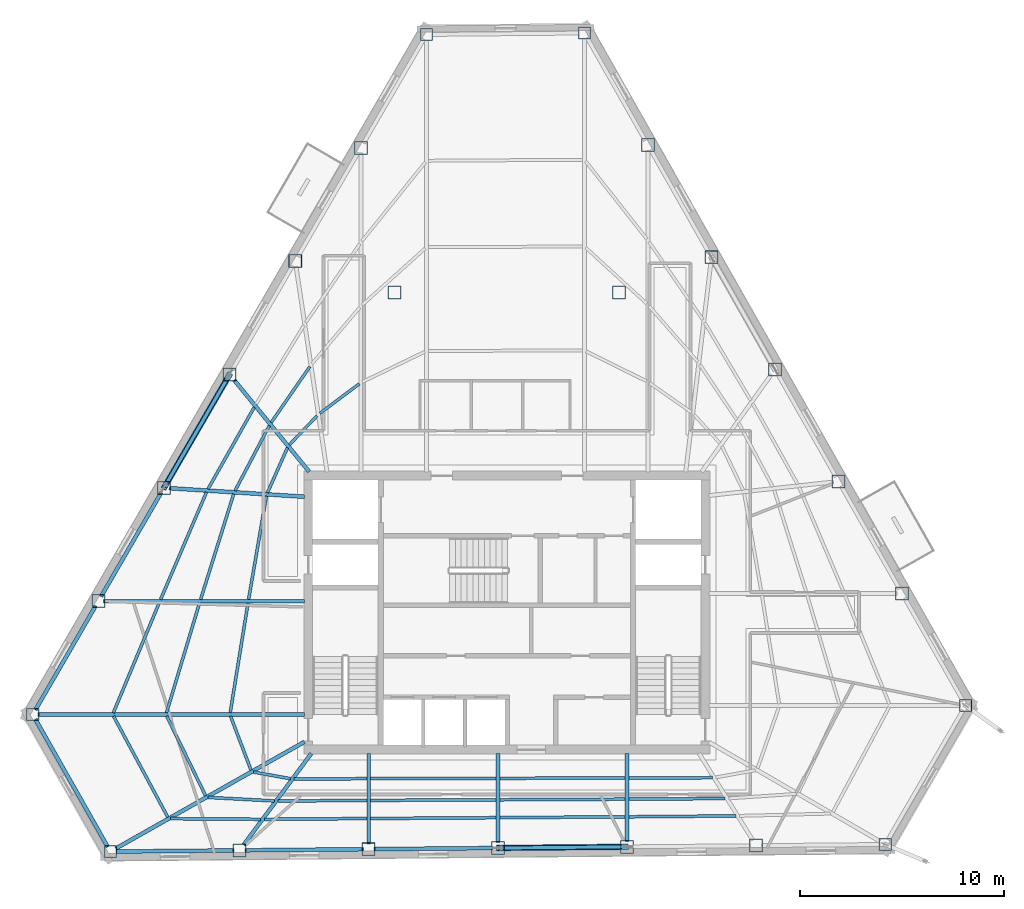
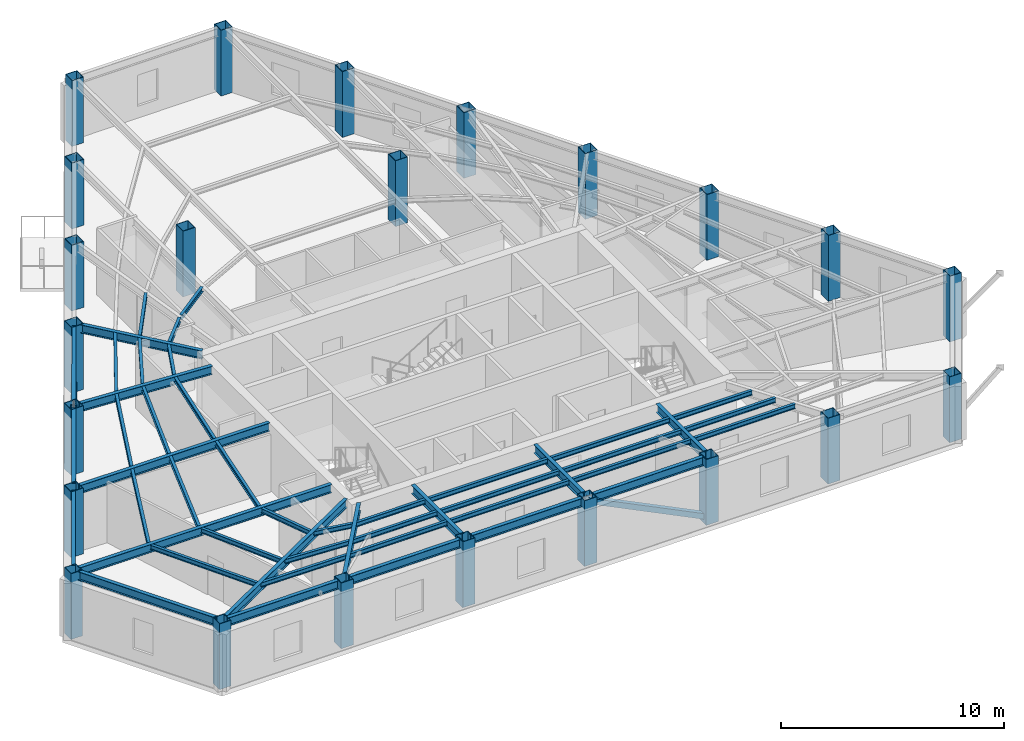
# One storey, part 1 of 10: 47 beams, 23 columns, 2 members.
"""IFC4 building model written with IfcOpenShell, lengths in metres."""

from ifc_helpers import new_model, si_unit, direction, frame, origin, origin_2d, place, context, subcontext, project, spatial, hollow_rectangle, i_section, extrude, material, material_profile, profile_set, type_object, element, save


model = new_model("IFC4")

# Units and contexts
model_context = context("Model", 3, precision=1e-05, world=origin(), true_north=direction((0.0, 1.0)))
body_context = subcontext(model_context, "Body", "Model", "MODEL_VIEW")
ifc_project = project(units=[si_unit("LENGTHUNIT", "METRE"), si_unit("AREAUNIT", "SQUARE_METRE"), si_unit("VOLUMEUNIT", "CUBIC_METRE"), si_unit("PLANEANGLEUNIT", "RADIAN"), si_unit("MASSUNIT", "GRAM", prefix="KILO")], contexts=[model_context])

# Site, building, storey
site_placement = place(None, origin())
site = spatial("IfcSite", under=ifc_project, at=site_placement, CompositionType="ELEMENT")
building_placement = place(site_placement, origin())
building = spatial("IfcBuilding", under=site, at=building_placement, Name="Kavelnor Concourse Tower", CompositionType="ELEMENT")
storey_placement = place(building_placement, frame((0.0, 0.0, 222.75)))
storey = spatial("IfcBuildingStorey", under=building, at=storey_placement, Name="L56", CompositionType="ELEMENT", Elevation=222.75)

# Columns
ifc_material = material(Name="Steel Grade 350", Category="steel")
ifc_material_profile_1 = material_profile(ifc_material, hollow_rectangle(XDim=0.60009765625, YDim=0.60009765625, WallThickness=0.028076171875, at=origin_2d()), Name="SHS 600x600x28")
ifc_profile_set_1 = profile_set([ifc_material_profile_1], Name="Steel Grade 350")
column_type_1 = type_object("IfcColumnType", Name="COL-FOLD-Z3", PredefinedType="COLUMN", material=ifc_profile_set_1)
for number, where, z_axis, x_axis, name in (
    (1, (34.06005859375, 44.455078125, 0.0), (0.0, 0.0, 1.0), (1.0, 0.0, 0.0), "L56 Perimeter Corner-Fold Column F0-B0"),
    (2, (14.74609375, 11.1015625, 0.0), (0.0, 0.0, 1.0), (1.0, 0.0, 0.0), "L56 Perimeter Corner-Fold Column F0-B6"),
    (3, (18.556640625, 4.37890625, 0.0), (0.0, 0.0, 1.0), (1.0, 0.0, 0.0), "L56 Perimeter Corner-Fold Column F1-B0"),
    (4, (56.561767578125, 4.7294921875, 0.0), (0.0, 0.0, 1.0), (1.0, 0.0, 0.0), "L56 Perimeter Corner-Fold Column F1-B6"),
    (5, (60.5048828125, 11.5390625, 0.0), (0.0, 0.0, 1.0), (1.0, 0.0, 0.0), "L56 Perimeter Corner-Fold Column F2-B0"),
    (6, (41.807373046875, 44.526611328125, 0.0), (0.0, 0.0, 1.0), (1.0, 0.0, 0.0), "L56 Perimeter Corner-Fold Column F2-B6"),
):
    element("IfcColumn", number, at=place(storey_placement, frame(where, z_axis=z_axis, x_axis=x_axis)), inside=storey, type_object=column_type_1, Name=name, PredefinedType="COLUMN", context=body_context, shape_type="SweptSolid", body=[
        extrude(hollow_rectangle(XDim=0.60009765625, YDim=0.60009765625, WallThickness=0.028076171875, at=origin_2d()), origin(), (0.0, 0.0, 1.0), 3.60009765625),
    ])
ifc_material_profile_2 = material_profile(ifc_material, hollow_rectangle(XDim=0.639892578125, YDim=0.639892578125, WallThickness=0.028076171875, at=origin_2d()), Name="SHS 640x640x28")
ifc_profile_set_2 = profile_set([ifc_material_profile_2], Name="Steel Grade 350")
column_type_2 = type_object("IfcColumnType", Name="COL-TUBE-Z3", PredefinedType="COLUMN", material=ifc_profile_set_2)
for number, where, z_axis, x_axis, name in (
    (7, (30.841064453125, 38.89599609375, 0.0), (0.0, 0.0, 1.0), (1.0, 0.0, 0.0), "L56 Perimeter Framed-Tube Column F0-B1"),
    (8, (27.6220703125, 33.337158203125, 0.0), (0.0, 0.0, 1.0), (1.0, 0.0, 0.0), "L56 Perimeter Framed-Tube Column F0-B2"),
    (9, (24.403076171875, 27.7783203125, 0.0), (0.0, 0.0, 1.0), (1.0, 0.0, 0.0), "L56 Perimeter Framed-Tube Column F0-B3"),
    (10, (21.18408203125, 22.219482421875, 0.0), (0.0, 0.0, 1.0), (1.0, 0.0, 0.0), "L56 Perimeter Framed-Tube Column F0-B4"),
    (11, (17.965087890625, 16.660400390625, 0.0), (0.0, 0.0, 1.0), (1.0, 0.0, 0.0), "L56 Perimeter Framed-Tube Column F0-B5"),
    (12, (24.890869140625, 4.437255859375, 0.0), (0.0, 0.0, 1.0), (1.0, 0.0, 0.0), "L56 Perimeter Framed-Tube Column F1-B1"),
    (13, (31.22509765625, 4.49560546875, 0.0), (0.0, 0.0, 1.0), (1.0, 0.0, 0.0), "L56 Perimeter Framed-Tube Column F1-B2"),
    (14, (37.55908203125, 4.55419921875, 0.0), (0.0, 0.0, 1.0), (1.0, 0.0, 0.0), "L56 Perimeter Framed-Tube Column F1-B3"),
    (15, (43.893310546875, 4.612548828125, 0.0), (0.0, 0.0, 1.0), (1.0, 0.0, 0.0), "L56 Perimeter Framed-Tube Column F1-B4"),
    (16, (50.2275390625, 4.671142578125, 0.0), (0.0, 0.0, 1.0), (1.0, 0.0, 0.0), "L56 Perimeter Framed-Tube Column F1-B5"),
    (17, (57.388671875, 17.037109375, 0.0), (0.0, 0.0, 1.0), (1.0, 0.0, 0.0), "L56 Perimeter Framed-Tube Column F2-B1"),
    (18, (54.2724609375, 22.534912109375, 0.0), (0.0, 0.0, 1.0), (1.0, 0.0, 0.0), "L56 Perimeter Framed-Tube Column F2-B2"),
    (19, (51.156005859375, 28.03271484375, 0.0), (0.0, 0.0, 1.0), (1.0, 0.0, 0.0), "L56 Perimeter Framed-Tube Column F2-B3"),
    (20, (48.039794921875, 33.53076171875, 0.0), (0.0, 0.0, 1.0), (1.0, 0.0, 0.0), "L56 Perimeter Framed-Tube Column F2-B4"),
    (21, (44.923583984375, 39.028564453125, 0.0), (0.0, 0.0, 1.0), (1.0, 0.0, 0.0), "L56 Perimeter Framed-Tube Column F2-B5"),
    (22, (32.5, 31.800048828125, 0.0), (0.0, 0.0, 1.0), (1.0, 0.0, 0.0), "L56 North Interior Gravity Column BC-NW"),
    (23, (43.5, 31.800048828125, 0.0), (0.0, 0.0, 1.0), (1.0, 0.0, 0.0), "L56 North Interior Gravity Column BC-NE"),
):
    element("IfcColumn", number, at=place(storey_placement, frame(where, z_axis=z_axis, x_axis=x_axis)), inside=storey, type_object=column_type_2, Name=name, PredefinedType="COLUMN", context=body_context, shape_type="SweptSolid", body=[
        extrude(hollow_rectangle(XDim=0.639892578125, YDim=0.639892578125, WallThickness=0.028076171875, at=origin_2d()), origin(), (0.0, 0.0, 1.0), 3.60009765625),
    ])

# Beams
ifc_material_profile_3 = material_profile(ifc_material, i_section(OverallWidth=0.14599609375, OverallDepth=0.256103515625, WebThickness=0.00634765625, FlangeThickness=0.010986328125, at=origin_2d()), Name="250UB37")
ifc_profile_set_3 = profile_set([ifc_material_profile_3], Name="Steel Grade 350")
beam_type_1 = type_object("IfcBeamType", Name="BM-JOIST-250", PredefinedType="JOIST", material=ifc_profile_set_3)
beam_1_placement = place(storey_placement, frame((24.450927734375, 11.018310546875, 3.471923828125), z_axis=(0.354865465004, -0.934917376963, 0.0), x_axis=(0.934917376963, 0.354865465004, 0.0)))
element("IfcBeam", 24, at=beam_1_placement, inside=storey, type_object=beam_type_1, Name="L56 Secondary Composite Joist 01-1", PredefinedType="JOIST", context=body_context, shape_type="SweptSolid", body=[
    extrude(i_section(OverallWidth=0.14599609375, OverallDepth=0.256103515625, WebThickness=0.00634765625, FlangeThickness=0.010986328125, at=origin_2d()), origin(), (0.0, 0.0, 1.0), 2.822021484375),
])
beam_2_placement = place(storey_placement, frame((21.320556640625, 11.021484375, 3.471923828125), z_axis=(0.438598710332, -0.898683020478, 0.0), x_axis=(0.898683020478, 0.438598710332, 0.0)))
element("IfcBeam", 25, at=beam_2_placement, inside=storey, type_object=beam_type_1, Name="L56 Secondary Composite Joist 01-2", PredefinedType="JOIST", context=body_context, shape_type="SweptSolid", body=[
    extrude(i_section(OverallWidth=0.14599609375, OverallDepth=0.256103515625, WebThickness=0.00634765625, FlangeThickness=0.010986328125, at=origin_2d()), origin(), (0.0, 0.0, 1.0), 4.340576171875),
])
beam_3_placement = place(storey_placement, frame((18.708984375, 11.023193359375, 3.471923828125), z_axis=(0.473529886598, -0.88077775091, 0.0), x_axis=(0.88077775091, 0.473529886598, 0.0)))
element("IfcBeam", 26, at=beam_3_placement, inside=storey, type_object=beam_type_1, Name="L56 Secondary Composite Joist 01-3", PredefinedType="JOIST", context=body_context, shape_type="SweptSolid", body=[
    extrude(i_section(OverallWidth=0.14599609375, OverallDepth=0.256103515625, WebThickness=0.00634765625, FlangeThickness=0.010986328125, at=origin_2d()), origin(), (0.0, 0.0, 1.0), 5.620849609375),
])
beam_4_placement = place(storey_placement, frame((25.571533203125, 8.28076171875, 3.471923828125), z_axis=(0.984080175669, -0.177725090675, 0.0), x_axis=(0.177725090675, 0.984080175669, 0.0)))
element("IfcBeam", 27, at=beam_4_placement, inside=storey, type_object=beam_type_1, Name="L56 Secondary Composite Joist 02-1", PredefinedType="JOIST", context=body_context, shape_type="SweptSolid", body=[
    extrude(i_section(OverallWidth=0.14599609375, OverallDepth=0.256103515625, WebThickness=0.00634765625, FlangeThickness=0.010986328125, at=origin_2d()), origin(), (0.0, 0.0, 1.0), 1.851806640625),
])
beam_5_placement = place(storey_placement, frame((23.352294921875, 7.035888671875, 3.471923828125), z_axis=(0.998590490225, -0.053075727328, 0.0), x_axis=(0.053075727328, 0.998590490225, 0.0)))
element("IfcBeam", 28, at=beam_5_placement, inside=storey, type_object=beam_type_1, Name="L56 Secondary Composite Joist 02-2", PredefinedType="JOIST", context=body_context, shape_type="SweptSolid", body=[
    extrude(i_section(OverallWidth=0.14599609375, OverallDepth=0.256103515625, WebThickness=0.00634765625, FlangeThickness=0.010986328125, at=origin_2d()), origin(), (0.0, 0.0, 1.0), 3.24755859375),
])
beam_6_placement = place(storey_placement, frame((21.501708984375, 5.993408203125, 3.471923828125), z_axis=(0.999975105743, -0.007056053668, 0.0), x_axis=(0.007056053668, 0.999975105743, 0.0)))
element("IfcBeam", 29, at=beam_6_placement, inside=storey, type_object=beam_type_1, Name="L56 Secondary Composite Joist 02-3", PredefinedType="JOIST", context=body_context, shape_type="SweptSolid", body=[
    extrude(i_section(OverallWidth=0.14599609375, OverallDepth=0.256103515625, WebThickness=0.00634765625, FlangeThickness=0.010986328125, at=origin_2d()), origin(), (0.0, 0.0, 1.0), 4.4287109375),
])
beam_7_placement = place(storey_placement, frame((27.5703125, 7.936279296875, 3.471923828125), z_axis=(0.999986102417, 0.005272093796, 0.0), x_axis=(-0.005272093796, 0.999986102417, 0.0)))
element("IfcBeam", 30, at=beam_7_placement, inside=storey, type_object=beam_type_1, Name="L56 Secondary Composite Joist 03-1", PredefinedType="JOIST", context=body_context, shape_type="SweptSolid", body=[
    extrude(i_section(OverallWidth=0.14599609375, OverallDepth=0.256103515625, WebThickness=0.00634765625, FlangeThickness=0.010986328125, at=origin_2d()), origin(), (0.0, 0.0, 1.0), 3.565673828125),
])
beam_8_placement = place(storey_placement, frame((26.77294921875, 6.859375, 3.471923828125), z_axis=(0.99997783071, 0.006658685124, 0.0), x_axis=(-0.006658685124, 0.99997783071, 0.0)))
element("IfcBeam", 31, at=beam_8_placement, inside=storey, type_object=beam_type_1, Name="L56 Secondary Composite Joist 03-2", PredefinedType="JOIST", context=body_context, shape_type="SweptSolid", body=[
    extrude(i_section(OverallWidth=0.14599609375, OverallDepth=0.256103515625, WebThickness=0.00634765625, FlangeThickness=0.010986328125, at=origin_2d()), origin(), (0.0, 0.0, 1.0), 4.363037109375),
])
beam_9_placement = place(storey_placement, frame((26.1083984375, 5.962158203125, 3.471923828125), z_axis=(0.999972400854, 0.007429504071, 0.0), x_axis=(-0.007429504071, 0.999972400854, 0.0)))
element("IfcBeam", 32, at=beam_9_placement, inside=storey, type_object=beam_type_1, Name="L56 Secondary Composite Joist 03-3", PredefinedType="JOIST", context=body_context, shape_type="SweptSolid", body=[
    extrude(i_section(OverallWidth=0.14599609375, OverallDepth=0.256103515625, WebThickness=0.00634765625, FlangeThickness=0.010986328125, at=origin_2d()), origin(), (0.0, 0.0, 1.0), 5.02783203125),
])
for number, where, z_axis, x_axis, name in (
    (33, (31.31396484375, 7.955810546875, 3.471923828125), (0.999996677675, 0.002577719862, 0.0), (-0.002577719862, 0.999996677675, 0.0), "L56 Secondary Composite Joist 04-1"),
    (34, (31.31396484375, 6.889404296875, 3.471923828125), (0.999988487203, 0.004798485365, 0.0), (-0.004798485365, 0.999988487203, 0.0), "L56 Secondary Composite Joist 04-2"),
):
    element("IfcBeam", number, at=place(storey_placement, frame(where, z_axis=z_axis, x_axis=x_axis)), inside=storey, type_object=beam_type_1, Name=name, PredefinedType="JOIST", context=body_context, shape_type="SweptSolid", body=[
        extrude(i_section(OverallWidth=0.14599609375, OverallDepth=0.256103515625, WebThickness=0.00634765625, FlangeThickness=0.010986328125, at=origin_2d()), origin(), (0.0, 0.0, 1.0), 6.15625),
    ])
beam_10_placement = place(storey_placement, frame((31.31396484375, 6.000732421875, 3.471923828125), z_axis=(0.999978070119, 0.006622633951, 0.0), x_axis=(-0.006622633951, 0.999978070119, 0.0)))
element("IfcBeam", 35, at=beam_10_placement, inside=storey, type_object=beam_type_1, Name="L56 Secondary Composite Joist 04-3", PredefinedType="JOIST", context=body_context, shape_type="SweptSolid", body=[
    extrude(i_section(OverallWidth=0.14599609375, OverallDepth=0.256103515625, WebThickness=0.00634765625, FlangeThickness=0.010986328125, at=origin_2d()), origin(), (0.0, 0.0, 1.0), 6.156494140625),
])
for number, where, z_axis, x_axis, name in (
    (36, (37.648193359375, 7.97216796875, 3.471923828125), (0.999996677675, 0.002577719862, 0.0), (-0.002577719862, 0.999996677675, 0.0), "L56 Secondary Composite Joist 05-1"),
    (37, (37.648193359375, 6.919921875, 3.471923828125), (0.999988676707, 0.004758829363, 0.0), (-0.004758829363, 0.999988676707, 0.0), "L56 Secondary Composite Joist 05-2"),
):
    element("IfcBeam", number, at=place(storey_placement, frame(where, z_axis=z_axis, x_axis=x_axis)), inside=storey, type_object=beam_type_1, Name=name, PredefinedType="JOIST", context=body_context, shape_type="SweptSolid", body=[
        extrude(i_section(OverallWidth=0.14599609375, OverallDepth=0.256103515625, WebThickness=0.00634765625, FlangeThickness=0.010986328125, at=origin_2d()), origin(), (0.0, 0.0, 1.0), 6.15625),
    ])
beam_11_placement = place(storey_placement, frame((37.648193359375, 6.042724609375, 3.471923828125), z_axis=(0.999977806708, 0.006662288687, 0.0), x_axis=(-0.006662288687, 0.999977806708, 0.0)))
element("IfcBeam", 38, at=beam_11_placement, inside=storey, type_object=beam_type_1, Name="L56 Secondary Composite Joist 05-3", PredefinedType="JOIST", context=body_context, shape_type="SweptSolid", body=[
    extrude(i_section(OverallWidth=0.14599609375, OverallDepth=0.256103515625, WebThickness=0.00634765625, FlangeThickness=0.010986328125, at=origin_2d()), origin(), (0.0, 0.0, 1.0), 6.156494140625),
])
beam_12_placement = place(storey_placement, frame((43.982421875, 7.988525390625, 3.471923828125), z_axis=(0.999994816343, 0.003219827087, 0.0), x_axis=(-0.003219827087, 0.999994816343, 0.0)))
element("IfcBeam", 39, at=beam_12_placement, inside=storey, type_object=beam_type_1, Name="L56 Secondary Composite Joist 06-1", PredefinedType="JOIST", context=body_context, shape_type="SweptSolid", body=[
    extrude(i_section(OverallWidth=0.14599609375, OverallDepth=0.256103515625, WebThickness=0.00634765625, FlangeThickness=0.010986328125, at=origin_2d()), origin(), (0.0, 0.0, 1.0), 4.094482421875),
])
beam_13_placement = place(storey_placement, frame((43.982421875, 6.9501953125, 3.471923828125), z_axis=(0.999980147228, 0.006301202312, 0.0), x_axis=(-0.006301202312, 0.999980147228, 0.0)))
element("IfcBeam", 40, at=beam_13_placement, inside=storey, type_object=beam_type_1, Name="L56 Secondary Composite Joist 06-2", PredefinedType="JOIST", context=body_context, shape_type="SweptSolid", body=[
    extrude(i_section(OverallWidth=0.14599609375, OverallDepth=0.256103515625, WebThickness=0.00634765625, FlangeThickness=0.010986328125, at=origin_2d()), origin(), (0.0, 0.0, 1.0), 4.726806640625),
])
beam_14_placement = place(storey_placement, frame((43.982421875, 6.0849609375, 3.471923828125), z_axis=(0.99996579075, 0.008271476869, 0.0), x_axis=(-0.008271476869, 0.99996579075, 0.0)))
element("IfcBeam", 41, at=beam_14_placement, inside=storey, type_object=beam_type_1, Name="L56 Secondary Composite Joist 06-3", PredefinedType="JOIST", context=body_context, shape_type="SweptSolid", body=[
    extrude(i_section(OverallWidth=0.14599609375, OverallDepth=0.256103515625, WebThickness=0.00634765625, FlangeThickness=0.010986328125, at=origin_2d()), origin(), (0.0, 0.0, 1.0), 5.25390625),
])
beam_15_placement = place(storey_placement, frame((30.769775390625, 27.32470703125, 3.471923828125), z_axis=(-0.801219671055, -0.598370319045, 0.0), x_axis=(0.598370319045, -0.801219671055, 0.0)))
element("IfcBeam", 42, at=beam_15_placement, inside=storey, type_object=beam_type_1, Name="L56 Secondary Composite Joist 17-1", PredefinedType="JOIST", context=body_context, shape_type="SweptSolid", body=[
    extrude(i_section(OverallWidth=0.14599609375, OverallDepth=0.256103515625, WebThickness=0.00634765625, FlangeThickness=0.010986328125, at=origin_2d()), origin(), (0.0, 0.0, 1.0), 2.4228515625),
])
beam_16_placement = place(storey_placement, frame((28.69580078125, 25.75732421875, 3.471923828125), z_axis=(-0.690156950651, -0.723659715245, 0.0), x_axis=(0.723659715245, -0.690156950651, 0.0)))
element("IfcBeam", 43, at=beam_16_placement, inside=storey, type_object=beam_type_1, Name="L56 Secondary Composite Joist 18-1", PredefinedType="JOIST", context=body_context, shape_type="SweptSolid", body=[
    extrude(i_section(OverallWidth=0.14599609375, OverallDepth=0.256103515625, WebThickness=0.00634765625, FlangeThickness=0.010986328125, at=origin_2d()), origin(), (0.0, 0.0, 1.0), 1.967529296875),
])
beam_17_placement = place(storey_placement, frame((28.34130859375, 28.1669921875, 3.471923828125), z_axis=(-0.568917034929, -0.822394921779, 0.0), x_axis=(0.822394921779, -0.568917034929, 0.0)))
element("IfcBeam", 44, at=beam_17_placement, inside=storey, type_object=beam_type_1, Name="L56 Secondary Composite Joist 18-2", PredefinedType="JOIST", context=body_context, shape_type="SweptSolid", body=[
    extrude(i_section(OverallWidth=0.14599609375, OverallDepth=0.256103515625, WebThickness=0.00634765625, FlangeThickness=0.010986328125, at=origin_2d()), origin(), (0.0, 0.0, 1.0), 3.33740234375),
])
beam_18_placement = place(storey_placement, frame((27.240234375, 24.187744140625, 3.471923828125), z_axis=(-0.406691790311, -0.913565426061, 0.0), x_axis=(0.913565426061, -0.406691790311, 0.0)))
element("IfcBeam", 45, at=beam_18_placement, inside=storey, type_object=beam_type_1, Name="L56 Secondary Composite Joist 19-1", PredefinedType="JOIST", context=body_context, shape_type="SweptSolid", body=[
    extrude(i_section(OverallWidth=0.14599609375, OverallDepth=0.256103515625, WebThickness=0.00634765625, FlangeThickness=0.010986328125, at=origin_2d()), origin(), (0.0, 0.0, 1.0), 2.4150390625),
])
beam_19_placement = place(storey_placement, frame((26.3505859375, 25.2705078125, 3.471923828125), z_axis=(-0.465830147638, -0.884874156901, 0.0), x_axis=(0.884874156901, -0.465830147638, 0.0)))
element("IfcBeam", 46, at=beam_19_placement, inside=storey, type_object=beam_type_1, Name="L56 Secondary Composite Joist 19-2", PredefinedType="JOIST", context=body_context, shape_type="SweptSolid", body=[
    extrude(i_section(OverallWidth=0.14599609375, OverallDepth=0.256103515625, WebThickness=0.00634765625, FlangeThickness=0.010986328125, at=origin_2d()), origin(), (0.0, 0.0, 1.0), 3.605712890625),
])
beam_20_placement = place(storey_placement, frame((25.611328125, 26.171630859375, 3.471923828125), z_axis=(-0.491959419845, -0.87061813054, 0.0), x_axis=(0.87061813054, -0.491959419845, 0.0)))
element("IfcBeam", 47, at=beam_20_placement, inside=storey, type_object=beam_type_1, Name="L56 Secondary Composite Joist 19-3", PredefinedType="JOIST", context=body_context, shape_type="SweptSolid", body=[
    extrude(i_section(OverallWidth=0.14599609375, OverallDepth=0.256103515625, WebThickness=0.00634765625, FlangeThickness=0.010986328125, at=origin_2d()), origin(), (0.0, 0.0, 1.0), 4.604736328125),
])
beam_21_placement = place(storey_placement, frame((26.206787109375, 21.8125, 3.471923828125), z_axis=(-0.16952028442, -0.985526698355, 0.0), x_axis=(0.985526698355, -0.16952028442, 0.0)))
element("IfcBeam", 48, at=beam_21_placement, inside=storey, type_object=beam_type_1, Name="L56 Secondary Composite Joist 20-1", PredefinedType="JOIST", context=body_context, shape_type="SweptSolid", body=[
    extrude(i_section(OverallWidth=0.14599609375, OverallDepth=0.256103515625, WebThickness=0.00634765625, FlangeThickness=0.010986328125, at=origin_2d()), origin(), (0.0, 0.0, 1.0), 5.138671875),
])
beam_22_placement = place(storey_placement, frame((24.602783203125, 21.916015625, 3.471923828125), z_axis=(-0.29907786814, -0.954228708848, 0.0), x_axis=(0.954228708848, -0.29907786814, 0.0)))
element("IfcBeam", 49, at=beam_22_placement, inside=storey, type_object=beam_type_1, Name="L56 Secondary Composite Joist 20-2", PredefinedType="JOIST", context=body_context, shape_type="SweptSolid", body=[
    extrude(i_section(OverallWidth=0.14599609375, OverallDepth=0.256103515625, WebThickness=0.00634765625, FlangeThickness=0.010986328125, at=origin_2d()), origin(), (0.0, 0.0, 1.0), 5.418701171875),
])
beam_23_placement = place(storey_placement, frame((23.26708984375, 22.00341796875, 3.471923828125), z_axis=(-0.392883877586, -0.919588091883, 0.0), x_axis=(0.919588091883, -0.392883877586, 0.0)))
element("IfcBeam", 50, at=beam_23_placement, inside=storey, type_object=beam_type_1, Name="L56 Secondary Composite Joist 20-3", PredefinedType="JOIST", context=body_context, shape_type="SweptSolid", body=[
    extrude(i_section(OverallWidth=0.14599609375, OverallDepth=0.256103515625, WebThickness=0.00634765625, FlangeThickness=0.010986328125, at=origin_2d()), origin(), (0.0, 0.0, 1.0), 5.72119140625),
])
beam_24_placement = place(storey_placement, frame((25.306396484375, 16.572509765625, 3.471923828125), z_axis=(-0.160048758139, -0.987109109986, 0.0), x_axis=(0.987109109986, -0.160048758139, 0.0)))
element("IfcBeam", 51, at=beam_24_placement, inside=storey, type_object=beam_type_1, Name="L56 Secondary Composite Joist 21-1", PredefinedType="JOIST", context=body_context, shape_type="SweptSolid", body=[
    extrude(i_section(OverallWidth=0.14599609375, OverallDepth=0.256103515625, WebThickness=0.00634765625, FlangeThickness=0.010986328125, at=origin_2d()), origin(), (0.0, 0.0, 1.0), 5.453369140625),
])
beam_25_placement = place(storey_placement, frame((22.9296875, 16.5751953125, 3.471923828125), z_axis=(-0.288330842182, -0.9575308483, 0.0), x_axis=(0.9575308483, -0.288330842182, 0.0)))
element("IfcBeam", 52, at=beam_25_placement, inside=storey, type_object=beam_type_1, Name="L56 Secondary Composite Joist 21-2", PredefinedType="JOIST", context=body_context, shape_type="SweptSolid", body=[
    extrude(i_section(OverallWidth=0.14599609375, OverallDepth=0.256103515625, WebThickness=0.00634765625, FlangeThickness=0.010986328125, at=origin_2d()), origin(), (0.0, 0.0, 1.0), 5.62744140625),
])
beam_26_placement = place(storey_placement, frame((20.9501953125, 16.578369140625, 3.471923828125), z_axis=(-0.384825954148, -0.922989157582, 0.0), x_axis=(0.922989157582, -0.384825954148, 0.0)))
element("IfcBeam", 53, at=beam_26_placement, inside=storey, type_object=beam_type_1, Name="L56 Secondary Composite Joist 21-3", PredefinedType="JOIST", context=body_context, shape_type="SweptSolid", body=[
    extrude(i_section(OverallWidth=0.14599609375, OverallDepth=0.256103515625, WebThickness=0.00634765625, FlangeThickness=0.010986328125, at=origin_2d()), origin(), (0.0, 0.0, 1.0), 5.844970703125),
])
ifc_material_profile_4 = material_profile(ifc_material, i_section(OverallWidth=0.18994140625, OverallDepth=0.4541015625, WebThickness=0.008544921875, FlangeThickness=0.0126953125, at=origin_2d()), Name="460UB67")
ifc_profile_set_4 = profile_set([ifc_material_profile_4], Name="Steel Grade 350")
beam_type_2 = type_object("IfcBeamType", Name="BM-PRIMARY-460", PredefinedType="BEAM", material=ifc_profile_set_4)
beam_27_placement = place(storey_placement, frame((28.30810546875, 23.009033203125, 3.373046875), z_axis=(-0.633525751768, 0.773721604873, 0.0), x_axis=(-0.773721604873, -0.633525751768, 0.0)))
element("IfcBeam", 54, at=beam_27_placement, inside=storey, type_object=beam_type_2, Name="L56 Primary Floor Girder F0-B3", PredefinedType="BEAM", context=body_context, shape_type="SweptSolid", body=[
    extrude(i_section(OverallWidth=0.18994140625, OverallDepth=0.4541015625, WebThickness=0.008544921875, FlangeThickness=0.0126953125, at=origin_2d()), origin(), (0.0, 0.0, 1.0), 5.81640625),
])
beam_28_placement = place(storey_placement, frame((28.079833984375, 21.782470703125, 3.373046875), z_axis=(-0.997999067771, 0.06322863851, 0.0), x_axis=(-0.06322863851, -0.997999067771, 0.0)))
element("IfcBeam", 55, at=beam_28_placement, inside=storey, type_object=beam_type_2, Name="L56 Primary Floor Girder F0-B4", PredefinedType="BEAM", context=body_context, shape_type="SweptSolid", body=[
    extrude(i_section(OverallWidth=0.18994140625, OverallDepth=0.4541015625, WebThickness=0.008544921875, FlangeThickness=0.0126953125, at=origin_2d()), origin(), (0.0, 0.0, 1.0), 6.64892578125),
])
beam_29_placement = place(storey_placement, frame((28.080078125, 16.660400390625, 3.373046875), z_axis=(-1.0, 0.0, 0.0), x_axis=(0.0, -1.0, 0.0)))
element("IfcBeam", 56, at=beam_29_placement, inside=storey, type_object=beam_type_2, Name="L56 Primary Floor Girder F0-B5", PredefinedType="BEAM", context=body_context, shape_type="SweptSolid", body=[
    extrude(i_section(OverallWidth=0.18994140625, OverallDepth=0.4541015625, WebThickness=0.008544921875, FlangeThickness=0.0126953125, at=origin_2d()), origin(), (0.0, 0.0, 1.0), 9.85498046875),
])
beam_30_placement = place(storey_placement, frame((28.080078125, 11.1015625, 3.373046875), z_axis=(-1.0, 0.0, 0.0), x_axis=(0.0, -1.0, 0.0)))
element("IfcBeam", 57, at=beam_30_placement, inside=storey, type_object=beam_type_2, Name="L56 Primary Floor Girder F0-B6", PredefinedType="BEAM", context=body_context, shape_type="SweptSolid", body=[
    extrude(i_section(OverallWidth=0.18994140625, OverallDepth=0.4541015625, WebThickness=0.008544921875, FlangeThickness=0.0126953125, at=origin_2d()), origin(), (0.0, 0.0, 1.0), 13.073974609375),
])
beam_31_placement = place(storey_placement, frame((28.07470703125, 9.76171875, 3.373046875), z_axis=(-0.870436621717, -0.492280496844, 0.0), x_axis=(0.492280496844, -0.870436621717, 0.0)))
element("IfcBeam", 58, at=beam_31_placement, inside=storey, type_object=beam_type_2, Name="L56 Primary Floor Girder F1-B0", PredefinedType="BEAM", context=body_context, shape_type="SweptSolid", body=[
    extrude(i_section(OverallWidth=0.18994140625, OverallDepth=0.4541015625, WebThickness=0.008544921875, FlangeThickness=0.0126953125, at=origin_2d()), origin(), (0.0, 0.0, 1.0), 10.6298828125),
])
beam_32_placement = place(storey_placement, frame((28.41162109375, 9.192138671875, 3.373046875), z_axis=(-0.595084275326, -0.803663303418, 0.0), x_axis=(0.803663303418, -0.595084275326, 0.0)))
element("IfcBeam", 59, at=beam_32_placement, inside=storey, type_object=beam_type_2, Name="L56 Primary Floor Girder F1-B1", PredefinedType="BEAM", context=body_context, shape_type="SweptSolid", body=[
    extrude(i_section(OverallWidth=0.18994140625, OverallDepth=0.4541015625, WebThickness=0.008544921875, FlangeThickness=0.0126953125, at=origin_2d()), origin(), (0.0, 0.0, 1.0), 5.583251953125),
])
beam_33_placement = place(storey_placement, frame((31.22509765625, 9.199951171875, 3.373046875), z_axis=(0.0, -1.0, 0.0), x_axis=(1.0, 0.0, 0.0)))
element("IfcBeam", 60, at=beam_33_placement, inside=storey, type_object=beam_type_2, Name="L56 Primary Floor Girder F1-B2", PredefinedType="BEAM", context=body_context, shape_type="SweptSolid", body=[
    extrude(i_section(OverallWidth=0.18994140625, OverallDepth=0.4541015625, WebThickness=0.008544921875, FlangeThickness=0.0126953125, at=origin_2d()), origin(), (0.0, 0.0, 1.0), 4.4443359375),
])
beam_34_placement = place(storey_placement, frame((37.55908203125, 9.199951171875, 3.373046875), z_axis=(0.0, -1.0, 0.0), x_axis=(1.0, 0.0, 0.0)))
element("IfcBeam", 61, at=beam_34_placement, inside=storey, type_object=beam_type_2, Name="L56 Primary Floor Girder F1-B3", PredefinedType="BEAM", context=body_context, shape_type="SweptSolid", body=[
    extrude(i_section(OverallWidth=0.18994140625, OverallDepth=0.4541015625, WebThickness=0.008544921875, FlangeThickness=0.0126953125, at=origin_2d()), origin(), (0.0, 0.0, 1.0), 4.3857421875),
])
beam_35_placement = place(storey_placement, frame((43.893310546875, 9.199951171875, 3.373046875), z_axis=(0.0, -1.0, 0.0), x_axis=(1.0, 0.0, 0.0)))
element("IfcBeam", 62, at=beam_35_placement, inside=storey, type_object=beam_type_2, Name="L56 Primary Floor Girder F1-B4", PredefinedType="BEAM", context=body_context, shape_type="SweptSolid", body=[
    extrude(i_section(OverallWidth=0.18994140625, OverallDepth=0.4541015625, WebThickness=0.008544921875, FlangeThickness=0.0126953125, at=origin_2d()), origin(), (0.0, 0.0, 1.0), 4.327392578125),
])
ifc_material_profile_5 = material_profile(ifc_material, i_section(OverallWidth=0.19091796875, OverallDepth=0.4599609375, WebThickness=0.010009765625, FlangeThickness=0.01611328125, at=origin_2d()), Name="460UB82")
ifc_profile_set_5 = profile_set([ifc_material_profile_5], Name="Steel Grade 350")
beam_type_3 = type_object("IfcBeamType", Name="BM-SPANDREL-Z3", PredefinedType="SPANDREL", material=ifc_profile_set_5)
beam_36_placement = place(storey_placement, frame((24.270263671875, 27.549072265625, 3.3701171875), z_axis=(-0.501104850437, -0.865386577703, 0.0), x_axis=(0.865386577703, -0.501104850437, 0.0)))
element("IfcBeam", 63, at=beam_36_placement, inside=storey, type_object=beam_type_3, Name="L56 Perimeter Tube Spandrel Beam F0-B3", PredefinedType="SPANDREL", context=body_context, shape_type="SweptSolid", body=[
    extrude(i_section(OverallWidth=0.19091796875, OverallDepth=0.4599609375, WebThickness=0.010009765625, FlangeThickness=0.01611328125, at=origin_2d()), origin(), (0.0, 0.0, 1.0), 5.893798828125),
])
beam_37_placement = place(storey_placement, frame((21.05126953125, 21.989990234375, 3.3701171875), z_axis=(-0.50112281442, -0.865376175352, 0.0), x_axis=(0.865376175352, -0.50112281442, 0.0)))
element("IfcBeam", 64, at=beam_37_placement, inside=storey, type_object=beam_type_3, Name="L56 Perimeter Tube Spandrel Beam F0-B4", PredefinedType="SPANDREL", context=body_context, shape_type="SweptSolid", body=[
    extrude(i_section(OverallWidth=0.19091796875, OverallDepth=0.4599609375, WebThickness=0.010009765625, FlangeThickness=0.01611328125, at=origin_2d()), origin(), (0.0, 0.0, 1.0), 5.8935546875),
])
beam_38_placement = place(storey_placement, frame((17.832275390625, 16.43115234375, 3.3701171875), z_axis=(-0.501104850437, -0.865386577703, 0.0), x_axis=(0.865386577703, -0.501104850437, 0.0)))
element("IfcBeam", 65, at=beam_38_placement, inside=storey, type_object=beam_type_3, Name="L56 Perimeter Tube Spandrel Beam F0-B5", PredefinedType="SPANDREL", context=body_context, shape_type="SweptSolid", body=[
    extrude(i_section(OverallWidth=0.19091796875, OverallDepth=0.4599609375, WebThickness=0.010009765625, FlangeThickness=0.01611328125, at=origin_2d()), origin(), (0.0, 0.0, 1.0), 5.893798828125),
])
beam_39_placement = place(storey_placement, frame((18.82177734375, 4.381103515625, 3.3701171875), z_axis=(0.999957186281, 0.00925341049, 0.0), x_axis=(-0.00925341049, 0.999957186281, 0.0)))
element("IfcBeam", 66, at=beam_39_placement, inside=storey, type_object=beam_type_3, Name="L56 Perimeter Tube Spandrel Beam F1-B0", PredefinedType="SPANDREL", context=body_context, shape_type="SweptSolid", body=[
    extrude(i_section(OverallWidth=0.19091796875, OverallDepth=0.4599609375, WebThickness=0.010009765625, FlangeThickness=0.01611328125, at=origin_2d()), origin(), (0.0, 0.0, 1.0), 5.804443359375),
])
beam_40_placement = place(storey_placement, frame((25.156005859375, 4.439697265625, 3.3701171875), z_axis=(0.999957182679, 0.009253799697, 0.0), x_axis=(-0.009253799697, 0.999957182679, 0.0)))
element("IfcBeam", 67, at=beam_40_placement, inside=storey, type_object=beam_type_3, Name="L56 Perimeter Tube Spandrel Beam F1-B1", PredefinedType="SPANDREL", context=body_context, shape_type="SweptSolid", body=[
    extrude(i_section(OverallWidth=0.19091796875, OverallDepth=0.4599609375, WebThickness=0.010009765625, FlangeThickness=0.01611328125, at=origin_2d()), origin(), (0.0, 0.0, 1.0), 5.80419921875),
])
for number, where, z_axis, x_axis, name in (
    (68, (31.489990234375, 4.498046875, 3.3701171875), (0.999957186281, 0.00925341049, 0.0), (-0.00925341049, 0.999957186281, 0.0), "L56 Perimeter Tube Spandrel Beam F1-B2"),
    (69, (37.82421875, 4.556396484375, 3.3701171875), (0.999957186281, 0.00925341049, 0.0), (-0.00925341049, 0.999957186281, 0.0), "L56 Perimeter Tube Spandrel Beam F1-B3"),
):
    element("IfcBeam", number, at=place(storey_placement, frame(where, z_axis=z_axis, x_axis=x_axis)), inside=storey, type_object=beam_type_3, Name=name, PredefinedType="SPANDREL", context=body_context, shape_type="SweptSolid", body=[
        extrude(i_section(OverallWidth=0.19091796875, OverallDepth=0.4599609375, WebThickness=0.010009765625, FlangeThickness=0.01611328125, at=origin_2d()), origin(), (0.0, 0.0, 1.0), 5.804443359375),
    ])
beam_41_placement = place(storey_placement, frame((14.876708984375, 10.87109375, 3.3701171875), z_axis=(0.493118690914, -0.869962043236, 0.0), x_axis=(0.869962043236, 0.493118690914, 0.0)))
element("IfcBeam", 70, at=beam_41_placement, inside=storey, type_object=beam_type_3, Name="L56 Chamfer Facet Spandrel Beam C1", PredefinedType="SPANDREL", context=body_context, shape_type="SweptSolid", body=[
    extrude(i_section(OverallWidth=0.19091796875, OverallDepth=0.4599609375, WebThickness=0.010009765625, FlangeThickness=0.01611328125, at=origin_2d()), origin(), (0.0, 0.0, 1.0), 7.19775390625),
])

# Members
ifc_material_profile_6 = material_profile(ifc_material, hollow_rectangle(XDim=0.280029296875, YDim=0.280029296875, WallThickness=0.01611328125, at=origin_2d()), Name="SHS 280x280x16")
ifc_profile_set_6 = profile_set([ifc_material_profile_6], Name="Steel Grade 350")
member_type = type_object("IfcMemberType", Name="MBR-TUBE-DIAG-Z3", PredefinedType="BRACE", material=ifc_profile_set_6)
member_1_placement = place(storey_placement, frame((24.403076171875, 27.7783203125, 0.219970703125), z_axis=(-0.449929516179, -0.776977258542, 0.440306450304), x_axis=(0.865377708359, -0.501120167101, 0.0)))
element("IfcMember", 71, at=member_1_placement, inside=storey, type_object=member_type, Name="L56 Framed-Tube Bracing Diagonal F0-B3", PredefinedType="BRACE", context=body_context, shape_type="SweptSolid", body=[
    extrude(hollow_rectangle(XDim=0.280029296875, YDim=0.280029296875, WallThickness=0.01611328125, at=origin_2d()), origin(), (0.0, 0.0, 1.0), 7.154541015625),
])
member_2_placement = place(storey_placement, frame((43.893310546875, 4.612548828125, 0.219970703125), z_axis=(-0.89535407955, -0.008247817499, 0.445278615858), x_axis=(0.009211403362, -0.999957574124, 0.0)))
element("IfcMember", 72, at=member_2_placement, inside=storey, type_object=member_type, Name="L56 Framed-Tube Bracing Diagonal F1-B3", PredefinedType="BRACE", context=body_context, shape_type="SweptSolid", body=[
    extrude(hollow_rectangle(XDim=0.280029296875, YDim=0.280029296875, WallThickness=0.01611328125, at=origin_2d()), origin(), (0.0, 0.0, 1.0), 7.074462890625),
])

save(model, "model.ifc")
